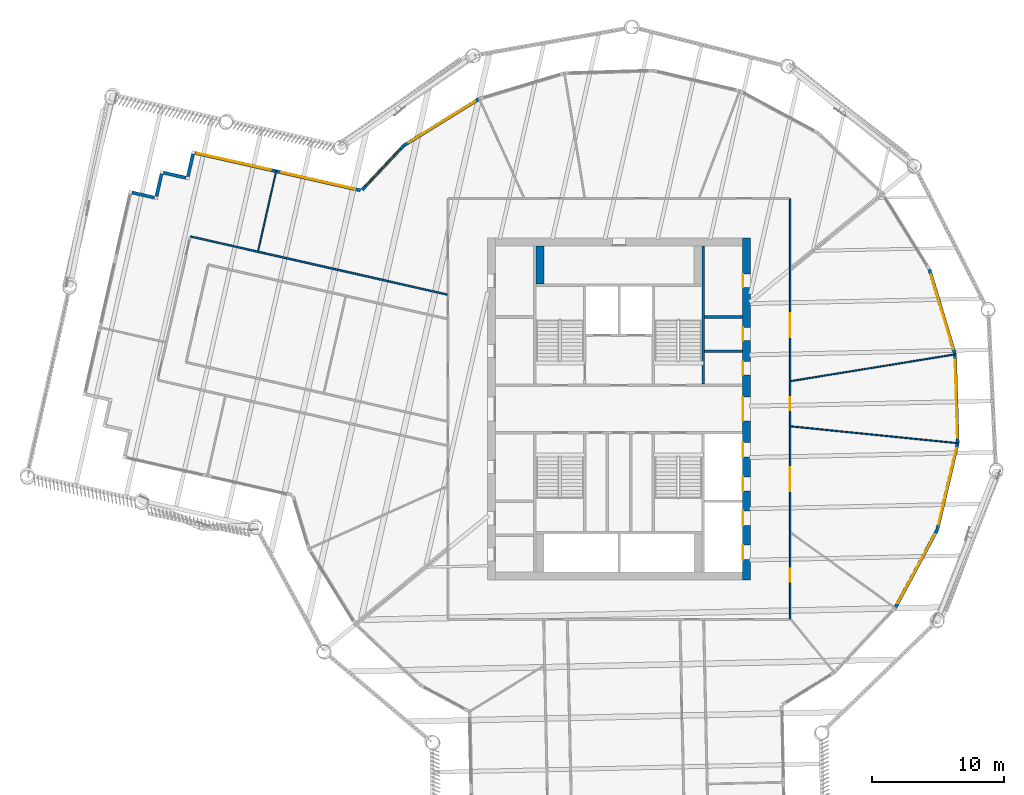
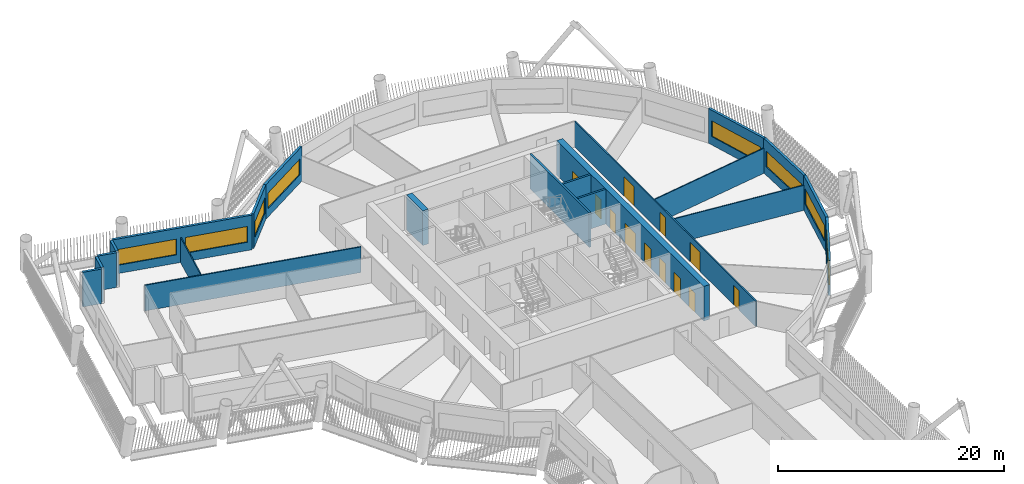
# One storey, part 6 of 23: 21 walls, 12 doors, 8 windows, 20 openings.
"""IFC4 building model written with IfcOpenShell, lengths in metres."""

import ifcopenshell
import ifcopenshell.guid

model = None  # the IFC model being written
_history = None  # IfcOwnerHistory: only IFC2X3 demands one
_inside = {}  # id of a spatial element -> (the spatial element, [elements in it])
_under = {}  # id of a project, library or spatial element -> (it, [spatial elements below it])
_declared = {}  # id of a project -> (the project, [libraries it declares])
_typed = {}  # id of a type object -> (the type object, [elements of that type])
_made_of = {}  # id of a material, layer set ... -> (it, [elements and type objects made of it])


def new_model(schema):
    """Start an empty IFC model of exactly this schema.

    Asked for "IFC4X3", IfcOpenShell would pick the latest addendum, in which some entities
    have other attributes; the version numbers below select the first issue.
    IFC2X3 requires an IfcOwnerHistory on every rooted entity: one is made here for all.
    """
    global model, _history
    if schema == "IFC4X3":
        model = ifcopenshell.file(schema_version=(4, 3, 0, 0))
    else:
        model = ifcopenshell.file(schema=schema)
    _inside.clear()
    _under.clear()
    _declared.clear()
    _typed.clear()
    _made_of.clear()
    _history = None
    if model.schema == "IFC2X3":
        org = make("IfcOrganization", Name="unknown")
        user = make(
            "IfcPersonAndOrganization",
            ThePerson=make("IfcPerson", FamilyName="unknown"),
            TheOrganization=org,
        )
        app = make(
            "IfcApplication",
            ApplicationDeveloper=org,
            Version="unknown",
            ApplicationFullName="unknown",
            ApplicationIdentifier="unknown",
        )
        _history = make(
            "IfcOwnerHistory",
            OwningUser=user,
            OwningApplication=app,
            ChangeAction="ADDED",
            CreationDate=0,
        )
    return model


def make(cls, **values):
    """One entity of the class cls with the attributes given. An attribute that is None is left unset."""
    return model.create_entity(
        cls, **{name: value for name, value in values.items() if value is not None}
    )


def rooted(cls, **values):
    """An entity with a GlobalId (a new one), such as an element, a storey or a relation."""
    return make(cls, GlobalId=ifcopenshell.guid.new(), OwnerHistory=_history, **values)


def si_unit(unit_type, name, prefix=None):
    """IfcSIUnit, for example si_unit("LENGTHUNIT", "METRE", prefix="MILLI")."""
    return make("IfcSIUnit", UnitType=unit_type, Prefix=prefix, Name=name)


def assignment(units):
    """IfcUnitAssignment: the units of a project."""
    return None if units is None else make("IfcUnitAssignment", Units=units)


def point(xyz):
    """IfcCartesianPoint."""
    return None if xyz is None else make("IfcCartesianPoint", Coordinates=xyz)


def direction(xyz):
    """IfcDirection."""
    return None if xyz is None else make("IfcDirection", DirectionRatios=xyz)


def frame(location, z_axis=None, x_axis=None):
    """IfcAxis2Placement3D, a coordinate frame: its origin and axes. An axis left out is left unset."""
    return make(
        "IfcAxis2Placement3D",
        Location=point(location),
        Axis=direction(z_axis),
        RefDirection=direction(x_axis),
    )


def frame_2d(location, x_axis=None):
    """IfcAxis2Placement2D, a coordinate frame in the plane: its origin and x axis."""
    return make(
        "IfcAxis2Placement2D", Location=point(location), RefDirection=direction(x_axis)
    )


def origin():
    """The frame at (0, 0, 0) with its axes left unset."""
    return frame((0.0, 0.0, 0.0))


def place(relative_to, where):
    """IfcLocalPlacement: puts the frame where relative to a parent placement (None: the world)."""
    return make(
        "IfcLocalPlacement", PlacementRelTo=relative_to, RelativePlacement=where
    )


def context(
    kind, dimensions, precision=None, world=None, true_north=None, identifier=None
):
    """IfcGeometricRepresentationContext, for example the 3D "Model" context."""
    return make(
        "IfcGeometricRepresentationContext",
        ContextIdentifier=identifier,
        ContextType=kind,
        CoordinateSpaceDimension=dimensions,
        Precision=precision,
        WorldCoordinateSystem=world,
        TrueNorth=true_north,
    )


def subcontext(parent, identifier, kind, view, scale=None):
    """IfcGeometricRepresentationSubContext, for example "Body" below "Model"."""
    return make(
        "IfcGeometricRepresentationSubContext",
        ContextIdentifier=identifier,
        ContextType=kind,
        ParentContext=parent,
        TargetScale=scale,
        TargetView=view,
    )


def project(units=None, contexts=None):
    """IfcProject with its units and contexts."""
    return rooted(
        "IfcProject",
        Name="project",
        RepresentationContexts=contexts,
        UnitsInContext=assignment(units),
    )


def spatial(cls, under=None, at=None, **own):
    """A site, building, storey or space (cls), placed at a placement, below another one or the project."""
    s = rooted(cls, ObjectPlacement=at, **own)
    if under is not None:
        _under.setdefault(under.id(), (under, []))[1].append(s)
    return s


def profile(cls, at=None, kind="AREA", **sizes):
    """A parametric profile (cls). Its sizes go by their IFC names, for example OverallWidth=200.0."""
    return make(cls, ProfileType=kind, Position=at, **sizes)


def rectangle(**sizes):
    """IfcRectangleProfileDef."""
    return profile("IfcRectangleProfileDef", **sizes)


def extrude(swept, where, along, depth):
    """IfcExtrudedAreaSolid: the profile swept, set in the frame where, extruded along a direction by depth."""
    return make(
        "IfcExtrudedAreaSolid",
        SweptArea=swept,
        Position=where,
        ExtrudedDirection=direction(along),
        Depth=depth,
    )


def shape(context_of_items, identifier, shape_type, items):
    """IfcShapeRepresentation: the items that make up one representation, for example the "Body"."""
    return make(
        "IfcShapeRepresentation",
        ContextOfItems=context_of_items,
        RepresentationIdentifier=identifier,
        RepresentationType=shape_type,
        Items=items,
    )


def material(Name=None, Category=None):
    """IfcMaterial."""
    return make("IfcMaterial", Name=Name, Category=Category)


def layer(
    of_material, thickness, ventilated=None, Name=None, Category=None, Priority=None
):
    """IfcMaterialLayer: one layer of a wall or slab, of a material (None: an air gap)."""
    return make(
        "IfcMaterialLayer",
        Material=of_material,
        LayerThickness=thickness,
        IsVentilated=ventilated,
        Name=Name,
        Category=Category,
        Priority=Priority,
    )


def layer_set(layers, Name=None):
    """IfcMaterialLayerSet."""
    return make("IfcMaterialLayerSet", MaterialLayers=layers, LayerSetName=Name)


def made_of(thing, what):
    """Note that an element or type object is made of a material, layer set ...; save() writes the relation."""
    if what is not None:
        _made_of.setdefault(what.id(), (what, []))[1].append(thing)
    return thing


def type_object(cls, material=None, **own):
    """A type object (cls), such as IfcWallType, which elements share."""
    return made_of(rooted(cls, **own), material)


def element(
    cls,
    number,
    at=None,
    inside=None,
    cuts=None,
    type_object=None,
    material=None,
    context=None,
    identifier="Body",
    shape_type=None,
    held_by="IfcProductDefinitionShape",
    body=None,
    shapes=None,
    **own,
):
    """One element of the class cls, such as IfcWall. Its Tag is "e" and its number.

    at: its placement. inside: the storey or other place that contains it. cuts: it is an
    opening in that element (IfcRelVoidsElement). A single representation is given by context,
    identifier, shape_type and body (its items); several are given by shapes. held_by: the class
    of the entity that holds the representations. save() writes the other relations.
    """
    e = rooted(cls, Tag="e%d" % number, ObjectPlacement=at, **own)
    if body is not None:
        shapes = [shape(context, identifier, shape_type, body)]
    if shapes is not None:
        e.Representation = make(held_by, Representations=shapes)
    if inside is not None:
        _inside.setdefault(inside.id(), (inside, []))[1].append(e)
    if cuts is not None:
        rooted(
            "IfcRelVoidsElement", RelatingBuildingElement=cuts, RelatedOpeningElement=e
        )
    if type_object is not None:
        _typed.setdefault(type_object.id(), (type_object, []))[1].append(e)
    return made_of(e, material)


def fill(opening, filler):
    """IfcRelFillsElement: the door or window that sits in an opening."""
    return rooted(
        "IfcRelFillsElement",
        RelatingOpeningElement=opening,
        RelatedBuildingElement=filler,
    )


def aggregate(whole, parts):
    """IfcRelAggregates: a whole, such as a stair, and the parts it consists of."""
    return rooted("IfcRelAggregates", RelatingObject=whole, RelatedObjects=parts)


def save(model, path):
    """Write the relations noted so far, then the file.

    IfcRelAggregates (storeys below a building ...), IfcRelContainedInSpatialStructure (elements
    in a storey), IfcRelDefinesByType, IfcRelAssociatesMaterial and IfcRelDeclares: one each for
    every whole, place, type object, material and project.
    """
    for whole, parts in _under.values():
        aggregate(whole, parts)
    for where, things in _inside.values():
        rooted(
            "IfcRelContainedInSpatialStructure",
            RelatedElements=things,
            RelatingStructure=where,
        )
    for kind, things in _typed.values():
        rooted("IfcRelDefinesByType", RelatedObjects=things, RelatingType=kind)
    for what, things in _made_of.values():
        rooted("IfcRelAssociatesMaterial", RelatedObjects=things, RelatingMaterial=what)
    for by, libraries in _declared.values():
        rooted("IfcRelDeclares", RelatingContext=by, RelatedDefinitions=libraries)
    model.write(path)


model = new_model("IFC4")

# Units and contexts
model_context = context("Model", 3, precision=1e-05, world=origin(), true_north=direction((0.0, 1.0)))
body_context = subcontext(model_context, "Body", "Model", "MODEL_VIEW")
ifc_project = project(units=[si_unit("LENGTHUNIT", "METRE"), si_unit("AREAUNIT", "SQUARE_METRE"), si_unit("VOLUMEUNIT", "CUBIC_METRE"), si_unit("PLANEANGLEUNIT", "RADIAN"), si_unit("MASSUNIT", "GRAM", prefix="KILO")], contexts=[model_context])

# Site, building, storey
site_placement = place(None, origin())
site = spatial("IfcSite", under=ifc_project, at=site_placement, CompositionType="ELEMENT")
building_placement = place(site_placement, origin())
building = spatial("IfcBuilding", under=site, at=building_placement, Name="Tarsis Ring Headquarters", CompositionType="ELEMENT")
storey_placement = place(building_placement, frame((0.0, 0.0, 231.60009765625)))
storey = spatial("IfcBuildingStorey", under=building, at=storey_placement, Name="L54", CompositionType="ELEMENT", Elevation=231.60009765625)

# Walls
ifc_material_1 = material(Name="Blockwork", Category="masonry")
ifc_layer_1 = layer(ifc_material_1, 0.199951171875)
ifc_layer_set_1 = layer_set([ifc_layer_1], Name="Core blockwork wall 200")
wall_type_1 = type_object("IfcWallType", Name="Core blockwork wall 200", PredefinedType="PARTITIONING", material=ifc_layer_set_1)
for number, where, z_axis, x_axis, name in (
    (1, (6.5, 4.39990234375, 0.0), (0.0, 0.0, 1.0), (1.0, 0.0, 0.0), "Core partition ED5"),
    (2, (6.5, 7.0, 0.0), (0.0, 0.0, 1.0), (1.0, 0.0, 0.0), "Core partition ED6"),
):
    element("IfcWall", number, at=place(storey_placement, frame(where, z_axis=z_axis, x_axis=x_axis)), inside=storey, type_object=wall_type_1, Name=name, PredefinedType="PARTITIONING", context=body_context, shape_type="SweptSolid", body=[
        extrude(rectangle(XDim=2.89990234375, YDim=0.199951171875, at=frame_2d((1.449951171875, 0.0))), origin(), (0.0, 0.0, 1.0), 3.739990234375),
    ])

# Wall, openings, doors
ifc_material_2 = material(Name="Concrete C50/60", Category="concrete")
ifc_layer_2 = layer(ifc_material_2, 0.60009765625)
ifc_layer_set_2 = layer_set([ifc_layer_2], Name="Core wall 600 C50/60")
wall_type_2 = type_object("IfcWallType", Name="Core wall 600 C50/60", PredefinedType="SHEAR", material=ifc_layer_set_2)
wall_1_placement = place(storey_placement, frame((9.699951171875, -13.0, 0.0), z_axis=(0.0, 0.0, 1.0), x_axis=(0.0, 1.0, 0.0)))
wall_1 = element("IfcWall", 3, at=wall_1_placement, inside=storey, type_object=wall_type_2, Name="Core wall OE", PredefinedType="SHEAR", context=body_context, shape_type="SweptSolid", body=[
    extrude(rectangle(XDim=26.0, YDim=0.60009765625, at=frame_2d((13.0, 0.0))), origin(), (0.0, 0.0, 1.0), 3.739990234375),
])
opening_1_placement = place(wall_1_placement, frame((1.550048828125, 0.0, 0.0)))
opening_1 = element("IfcOpeningElement", 4, at=opening_1_placement, cuts=wall_1, Name="Opening LD-MR1", PredefinedType="OPENING", context=body_context, shape_type="SweptSolid", body=[
    extrude(rectangle(XDim=1.10009765625, YDim=2.10009765625, at=frame_2d((0.550048828125, 1.050048828125))), frame((0.0, 0.31005859375, 0.0), z_axis=(0.0, -1.0, 0.0), x_axis=(1.0, 0.0, 0.0)), (0.0, 0.0, 1.0), 0.6201171875),
])
opening_2_placement = place(wall_1_placement, frame((4.14990234375, 0.0, 0.0)))
opening_2 = element("IfcOpeningElement", 5, at=opening_2_placement, cuts=wall_1, Name="Opening LD-MR2", PredefinedType="OPENING", context=body_context, shape_type="SweptSolid", body=[
    extrude(rectangle(XDim=1.10009765625, YDim=2.10009765625, at=frame_2d((0.550048828125, 1.050048828125))), frame((0.0, 0.31005859375, 0.0), z_axis=(0.0, -1.0, 0.0), x_axis=(1.0, 0.0, 0.0)), (0.0, 0.0, 1.0), 0.6201171875),
])
opening_3_placement = place(wall_1_placement, frame((6.75, 0.0, 0.0)))
opening_3 = element("IfcOpeningElement", 6, at=opening_3_placement, cuts=wall_1, Name="Opening LD-MR3", PredefinedType="OPENING", context=body_context, shape_type="SweptSolid", body=[
    extrude(rectangle(XDim=1.10009765625, YDim=2.10009765625, at=frame_2d((0.550048828125, 1.050048828125))), frame((0.0, 0.31005859375, 0.0), z_axis=(0.0, -1.0, 0.0), x_axis=(1.0, 0.0, 0.0)), (0.0, 0.0, 1.0), 0.6201171875),
])
opening_4_placement = place(wall_1_placement, frame((9.35009765625, 0.0, 0.0)))
opening_4 = element("IfcOpeningElement", 7, at=opening_4_placement, cuts=wall_1, Name="Opening LD-MR4", PredefinedType="OPENING", context=body_context, shape_type="SweptSolid", body=[
    extrude(rectangle(XDim=1.10009765625, YDim=2.10009765625, at=frame_2d((0.550048828125, 1.050048828125))), frame((0.0, 0.31005859375, 0.0), z_axis=(0.0, -1.0, 0.0), x_axis=(1.0, 0.0, 0.0)), (0.0, 0.0, 1.0), 0.6201171875),
])
opening_5_placement = place(wall_1_placement, frame((12.10009765625, 0.0, 0.0)))
opening_5 = element("IfcOpeningElement", 8, at=opening_5_placement, cuts=wall_1, Name="Opening L54-C11", PredefinedType="OPENING", context=body_context, shape_type="SweptSolid", body=[
    extrude(rectangle(XDim=1.800048828125, YDim=2.10009765625, at=frame_2d((0.89990234375, 1.050048828125))), frame((0.0, 0.31005859375, 0.0), z_axis=(0.0, -1.0, 0.0), x_axis=(1.0, 0.0, 0.0)), (0.0, 0.0, 1.0), 0.6201171875),
])
opening_6_placement = place(wall_1_placement, frame((15.60009765625, 0.0, 0.0)))
opening_6 = element("IfcOpeningElement", 9, at=opening_6_placement, cuts=wall_1, Name="Opening L54-C12", PredefinedType="OPENING", context=body_context, shape_type="SweptSolid", body=[
    extrude(rectangle(XDim=1.0, YDim=2.10009765625, at=frame_2d((0.5, 1.050048828125))), frame((0.0, 0.31005859375, 0.0), z_axis=(0.0, -1.0, 0.0), x_axis=(1.0, 0.0, 0.0)), (0.0, 0.0, 1.0), 0.6201171875),
])
opening_7_placement = place(wall_1_placement, frame((18.199951171875, 0.0, 0.0)))
opening_7 = element("IfcOpeningElement", 10, at=opening_7_placement, cuts=wall_1, Name="Opening L54-C13", PredefinedType="OPENING", context=body_context, shape_type="SweptSolid", body=[
    extrude(rectangle(XDim=1.0, YDim=2.10009765625, at=frame_2d((0.5, 1.050048828125))), frame((0.0, 0.31005859375, 0.0), z_axis=(0.0, -1.0, 0.0), x_axis=(1.0, 0.0, 0.0)), (0.0, 0.0, 1.0), 0.6201171875),
])
opening_8_placement = place(wall_1_placement, frame((22.25, 0.0, 0.0)))
opening_8 = element("IfcOpeningElement", 11, at=opening_8_placement, cuts=wall_1, Name="Opening L54-C14", PredefinedType="OPENING", context=body_context, shape_type="SweptSolid", body=[
    extrude(rectangle(XDim=1.0, YDim=2.10009765625, at=frame_2d((0.5, 1.050048828125))), frame((0.0, 0.31005859375, 0.0), z_axis=(0.0, -1.0, 0.0), x_axis=(1.0, 0.0, 0.0)), (0.0, 0.0, 1.0), 0.6201171875),
])
ifc_material_3 = material(Name="Steel S355", Category="steel")
door_type_1 = type_object("IfcDoorType", Name="Core entry door 1800x2100", OperationType="DOUBLE_DOOR_SINGLE_SWING", PredefinedType="DOOR", material=ifc_material_3)
door_1_placement = place(opening_5_placement, origin())
door_1 = element("IfcDoor", 12, at=door_1_placement, inside=storey, type_object=door_type_1, Name="Core entry door L54", OperationType="DOUBLE_DOOR_SINGLE_SWING", OverallHeight=2.10009765625, OverallWidth=1.800048828125, PredefinedType="DOOR", context=body_context, shape_type="SweptSolid", body=[
    extrude(rectangle(XDim=1.800048828125, YDim=2.10009765625, at=frame_2d((0.89990234375, 1.050048828125))), frame((0.0, 0.2998046875, 0.0), z_axis=(0.0, -1.0, 0.0), x_axis=(1.0, 0.0, 0.0)), (0.0, 0.0, 1.0), 0.050048828125),
])
fill(opening_5, door_1)
door_type_2 = type_object("IfcDoorType", Name="Core room door 1000x2100", OperationType="SINGLE_SWING_LEFT", PredefinedType="DOOR", material=ifc_material_3)
door_2_placement = place(opening_6_placement, origin())
door_2 = element("IfcDoor", 13, at=door_2_placement, inside=storey, type_object=door_type_2, Name="Core room door L54", OperationType="SINGLE_SWING_LEFT", OverallHeight=2.10009765625, OverallWidth=1.0, PredefinedType="DOOR", context=body_context, shape_type="SweptSolid", body=[
    extrude(rectangle(XDim=1.0, YDim=2.10009765625, at=frame_2d((0.5, 1.050048828125))), frame((0.0, 0.2998046875, 0.0), z_axis=(0.0, -1.0, 0.0), x_axis=(1.0, 0.0, 0.0)), (0.0, 0.0, 1.0), 0.050048828125),
])
fill(opening_6, door_2)
door_3_placement = place(opening_7_placement, origin())
door_3 = element("IfcDoor", 14, at=door_3_placement, inside=storey, type_object=door_type_2, Name="Core room door L54", OperationType="SINGLE_SWING_LEFT", OverallHeight=2.10009765625, OverallWidth=1.0, PredefinedType="DOOR", context=body_context, shape_type="SweptSolid", body=[
    extrude(rectangle(XDim=1.0, YDim=2.10009765625, at=frame_2d((0.5, 1.050048828125))), frame((0.0, 0.2998046875, 0.0), z_axis=(0.0, -1.0, 0.0), x_axis=(1.0, 0.0, 0.0)), (0.0, 0.0, 1.0), 0.050048828125),
])
fill(opening_7, door_3)
door_4_placement = place(opening_8_placement, origin())
door_4 = element("IfcDoor", 15, at=door_4_placement, inside=storey, type_object=door_type_2, Name="Core room door L54", OperationType="SINGLE_SWING_LEFT", OverallHeight=2.10009765625, OverallWidth=1.0, PredefinedType="DOOR", context=body_context, shape_type="SweptSolid", body=[
    extrude(rectangle(XDim=1.0, YDim=2.10009765625, at=frame_2d((0.5, 1.050048828125))), frame((0.0, 0.2998046875, 0.0), z_axis=(0.0, -1.0, 0.0), x_axis=(1.0, 0.0, 0.0)), (0.0, 0.0, 1.0), 0.050048828125),
])
fill(opening_8, door_4)
door_type_3 = type_object("IfcDoorType", Name="Landing door 1100x2100", OperationType="SLIDING_TO_LEFT", PredefinedType="DOOR", material=ifc_material_3)
door_5_placement = place(opening_1_placement, origin())
door_5 = element("IfcDoor", 16, at=door_5_placement, inside=storey, type_object=door_type_3, Name="Landing door MR1 L54", OperationType="SLIDING_TO_LEFT", OverallHeight=2.10009765625, OverallWidth=1.10009765625, PredefinedType="DOOR", context=body_context, shape_type="SweptSolid", body=[
    extrude(rectangle(XDim=1.10009765625, YDim=2.10009765625, at=frame_2d((0.550048828125, 1.050048828125))), frame((0.0, 0.2998046875, 0.0), z_axis=(0.0, -1.0, 0.0), x_axis=(1.0, 0.0, 0.0)), (0.0, 0.0, 1.0), 0.050048828125),
])
fill(opening_1, door_5)
door_6_placement = place(opening_2_placement, origin())
door_6 = element("IfcDoor", 17, at=door_6_placement, inside=storey, type_object=door_type_3, Name="Landing door MR2 L54", OperationType="SLIDING_TO_LEFT", OverallHeight=2.10009765625, OverallWidth=1.10009765625, PredefinedType="DOOR", context=body_context, shape_type="SweptSolid", body=[
    extrude(rectangle(XDim=1.10009765625, YDim=2.10009765625, at=frame_2d((0.550048828125, 1.050048828125))), frame((0.0, 0.2998046875, 0.0), z_axis=(0.0, -1.0, 0.0), x_axis=(1.0, 0.0, 0.0)), (0.0, 0.0, 1.0), 0.050048828125),
])
fill(opening_2, door_6)
door_7_placement = place(opening_3_placement, origin())
door_7 = element("IfcDoor", 18, at=door_7_placement, inside=storey, type_object=door_type_3, Name="Landing door MR3 L54", OperationType="SLIDING_TO_LEFT", OverallHeight=2.10009765625, OverallWidth=1.10009765625, PredefinedType="DOOR", context=body_context, shape_type="SweptSolid", body=[
    extrude(rectangle(XDim=1.10009765625, YDim=2.10009765625, at=frame_2d((0.550048828125, 1.050048828125))), frame((0.0, 0.2998046875, 0.0), z_axis=(0.0, -1.0, 0.0), x_axis=(1.0, 0.0, 0.0)), (0.0, 0.0, 1.0), 0.050048828125),
])
fill(opening_3, door_7)
door_8_placement = place(opening_4_placement, origin())
door_8 = element("IfcDoor", 19, at=door_8_placement, inside=storey, type_object=door_type_3, Name="Landing door MR4 L54", OperationType="SLIDING_TO_LEFT", OverallHeight=2.10009765625, OverallWidth=1.10009765625, PredefinedType="DOOR", context=body_context, shape_type="SweptSolid", body=[
    extrude(rectangle(XDim=1.10009765625, YDim=2.10009765625, at=frame_2d((0.550048828125, 1.050048828125))), frame((0.0, 0.2998046875, 0.0), z_axis=(0.0, -1.0, 0.0), x_axis=(1.0, 0.0, 0.0)), (0.0, 0.0, 1.0), 0.050048828125),
])
fill(opening_4, door_8)

# Walls
ifc_material_4 = material(Name="Gypsum board on steel studs", Category="steel")
ifc_layer_3 = layer(ifc_material_4, 0.10009765625)
ifc_layer_set_3 = layer_set([ifc_layer_3], Name="FL partition 100 unrated")
wall_type_3 = type_object("IfcWallType", Name="FL partition 100 unrated", PredefinedType="PARTITIONING", material=ifc_layer_set_3)
wall_2_placement = place(storey_placement, frame((13.069580078125, -1.318359375, 0.0), z_axis=(0.0, 0.0, 1.0), x_axis=(0.994950594724, -0.100365900875, 0.0)))
element("IfcWall", 20, at=wall_2_placement, inside=storey, type_object=wall_type_3, Name="Partition PW3", PredefinedType="PARTITIONING", context=body_context, shape_type="SweptSolid", body=[
    extrude(rectangle(XDim=12.81201171875, YDim=0.10009765625, at=frame_2d((6.406005859375, 0.0))), origin(), (0.0, 0.0, 1.0), 2.699951171875),
])
wall_3_placement = place(storey_placement, frame((13.069091796875, 2.126220703125, 0.0), z_axis=(0.0, 0.0, 1.0), x_axis=(0.987025191468, 0.160565473898, 0.0)))
element("IfcWall", 21, at=wall_3_placement, inside=storey, type_object=wall_type_3, Name="Partition PW3", PredefinedType="PARTITIONING", context=body_context, shape_type="SweptSolid", body=[
    extrude(rectangle(XDim=12.706787109375, YDim=0.10009765625, at=frame_2d((6.353515625, 0.0))), origin(), (0.0, 0.0, 1.0), 2.699951171875),
])
wall_4_placement = place(storey_placement, frame((-27.441162109375, 12.02783203125, 0.0), z_axis=(0.0, 0.0, 1.0), x_axis=(0.220851468562, 0.97530745349, 0.0)))
element("IfcWall", 22, at=wall_4_placement, inside=storey, type_object=wall_type_3, Name="Partition PW3", PredefinedType="PARTITIONING", context=body_context, shape_type="SweptSolid", body=[
    extrude(rectangle(XDim=6.280029296875, YDim=0.10009765625, at=frame_2d((3.14013671875, 0.0))), origin(), (0.0, 0.0, 1.0), 2.699951171875),
])

# Wall, openings, doors
ifc_layer_4 = layer(ifc_material_4, 0.125)
ifc_layer_set_4 = layer_set([ifc_layer_4], Name="FL partition 125 EI 60 H2770")
wall_type_4 = type_object("IfcWallType", Name="FL partition 125 EI 60 H2770", PredefinedType="PARTITIONING", material=ifc_layer_set_4)
wall_5_placement = place(storey_placement, frame((13.0, -16.0, 0.0), z_axis=(0.0, 0.0, 1.0), x_axis=(0.0, 1.0, 0.0)))
wall_5 = element("IfcWall", 23, at=wall_5_placement, inside=storey, type_object=wall_type_4, Name="Partition PW1", PredefinedType="PARTITIONING", context=body_context, shape_type="SweptSolid", body=[
    extrude(rectangle(XDim=32.0, YDim=0.125, at=frame_2d((16.0, 0.0))), origin(), (0.0, 0.0, 1.0), 2.77001953125),
])
opening_9_placement = place(wall_5_placement, frame((21.46630859375, 0.0, 0.0)))
opening_9 = element("IfcOpeningElement", 24, at=opening_9_placement, cuts=wall_5, Name="Opening D54.07", PredefinedType="OPENING", context=body_context, shape_type="SweptSolid", body=[
    extrude(rectangle(XDim=1.800048828125, YDim=2.10009765625, at=frame_2d((0.89990234375, 1.050048828125))), frame((0.0, 0.072509765625, 0.0), z_axis=(0.0, -1.0, 0.0), x_axis=(1.0, 0.0, 0.0)), (0.0, 0.0, 1.0), 0.14501953125),
])
opening_10_placement = place(wall_5_placement, frame((15.90185546875, 0.0, 0.0)))
opening_10 = element("IfcOpeningElement", 25, at=opening_10_placement, cuts=wall_5, Name="Opening D54.08", PredefinedType="OPENING", context=body_context, shape_type="SweptSolid", body=[
    extrude(rectangle(XDim=1.0, YDim=2.10009765625, at=frame_2d((0.5, 1.050048828125))), frame((0.0, 0.072509765625, 0.0), z_axis=(0.0, -1.0, 0.0), x_axis=(1.0, 0.0, 0.0)), (0.0, 0.0, 1.0), 0.14501953125),
])
opening_11_placement = place(wall_5_placement, frame((9.76318359375, 0.0, 0.0)))
opening_11 = element("IfcOpeningElement", 26, at=opening_11_placement, cuts=wall_5, Name="Opening D54.09", PredefinedType="OPENING", context=body_context, shape_type="SweptSolid", body=[
    extrude(rectangle(XDim=1.800048828125, YDim=2.10009765625, at=frame_2d((0.89990234375, 1.050048828125))), frame((0.0, 0.072509765625, 0.0), z_axis=(0.0, -1.0, 0.0), x_axis=(1.0, 0.0, 0.0)), (0.0, 0.0, 1.0), 0.14501953125),
])
opening_12_placement = place(wall_5_placement, frame((2.860595703125, 0.0, 0.0)))
opening_12 = element("IfcOpeningElement", 27, at=opening_12_placement, cuts=wall_5, Name="Opening D54.10", PredefinedType="OPENING", context=body_context, shape_type="SweptSolid", body=[
    extrude(rectangle(XDim=1.0, YDim=2.10009765625, at=frame_2d((0.5, 1.050048828125))), frame((0.0, 0.072509765625, 0.0), z_axis=(0.0, -1.0, 0.0), x_axis=(1.0, 0.0, 0.0)), (0.0, 0.0, 1.0), 0.14501953125),
])
ifc_material_5 = material(Name="Fire-rated timber door leaf in steel frame", Category="steel")
door_type_4 = type_object("IfcDoorType", Name="FL door FD60-1000", OperationType="NOTDEFINED", PredefinedType="DOOR", material=ifc_material_5)
door_9_placement = place(opening_10_placement, origin())
door_9 = element("IfcDoor", 28, at=door_9_placement, inside=storey, type_object=door_type_4, Name="Door D54.08", OperationType="SINGLE_SWING_RIGHT", OverallHeight=2.10009765625, OverallWidth=1.0, PredefinedType="DOOR", context=body_context, shape_type="SweptSolid", body=[
    extrude(rectangle(XDim=1.0, YDim=2.10009765625, at=frame_2d((0.5, 1.050048828125))), frame((0.0, 0.02490234375, 0.0), z_axis=(0.0, -1.0, 0.0), x_axis=(1.0, 0.0, 0.0)), (0.0, 0.0, 1.0), 0.050048828125),
])
fill(opening_10, door_9)
door_10_placement = place(opening_12_placement, origin())
door_10 = element("IfcDoor", 29, at=door_10_placement, inside=storey, type_object=door_type_4, Name="Door D54.10", OperationType="SINGLE_SWING_RIGHT", OverallHeight=2.10009765625, OverallWidth=1.0, PredefinedType="DOOR", context=body_context, shape_type="SweptSolid", body=[
    extrude(rectangle(XDim=1.0, YDim=2.10009765625, at=frame_2d((0.5, 1.050048828125))), frame((0.0, 0.02490234375, 0.0), z_axis=(0.0, -1.0, 0.0), x_axis=(1.0, 0.0, 0.0)), (0.0, 0.0, 1.0), 0.050048828125),
])
fill(opening_12, door_10)
door_type_5 = type_object("IfcDoorType", Name="FL door FD60-1800", OperationType="DOUBLE_DOOR_SINGLE_SWING", PredefinedType="DOOR", material=ifc_material_5)
door_11_placement = place(opening_9_placement, origin())
door_11 = element("IfcDoor", 30, at=door_11_placement, inside=storey, type_object=door_type_5, Name="Door D54.07", OperationType="DOUBLE_DOOR_SINGLE_SWING", OverallHeight=2.10009765625, OverallWidth=1.800048828125, PredefinedType="DOOR", context=body_context, shape_type="SweptSolid", body=[
    extrude(rectangle(XDim=1.800048828125, YDim=2.10009765625, at=frame_2d((0.89990234375, 1.050048828125))), frame((0.0, 0.02490234375, 0.0), z_axis=(0.0, -1.0, 0.0), x_axis=(1.0, 0.0, 0.0)), (0.0, 0.0, 1.0), 0.050048828125),
])
fill(opening_9, door_11)
door_12_placement = place(opening_11_placement, origin())
door_12 = element("IfcDoor", 31, at=door_12_placement, inside=storey, type_object=door_type_5, Name="Door D54.09", OperationType="DOUBLE_DOOR_SINGLE_SWING", OverallHeight=2.10009765625, OverallWidth=1.800048828125, PredefinedType="DOOR", context=body_context, shape_type="SweptSolid", body=[
    extrude(rectangle(XDim=1.800048828125, YDim=2.10009765625, at=frame_2d((0.89990234375, 1.050048828125))), frame((0.0, 0.02490234375, 0.0), z_axis=(0.0, -1.0, 0.0), x_axis=(1.0, 0.0, 0.0)), (0.0, 0.0, 1.0), 0.050048828125),
])
fill(opening_11, door_12)

# Wall
wall_6_placement = place(storey_placement, frame((-32.596435546875, 13.12353515625, 0.0), z_axis=(0.0, 0.0, 1.0), x_axis=(0.975303487235, -0.220868983307, 0.0)))
element("IfcWall", 32, at=wall_6_placement, inside=storey, type_object=wall_type_4, Name="Partition PW1", PredefinedType="PARTITIONING", context=body_context, shape_type="SweptSolid", body=[
    extrude(rectangle(XDim=20.0224609375, YDim=0.125, at=frame_2d((10.01123046875, 0.0))), origin(), (0.0, 0.0, 1.0), 2.77001953125),
])

# Wall, opening, window
ifc_material_6 = material(Name="Terracotta clad insulated panel wall", Category="masonry")
ifc_layer_5 = layer(ifc_material_6, 0.25)
ifc_layer_set_5 = layer_set([ifc_layer_5], Name="Facade wall terracotta panel 250")
wall_type_5 = type_object("IfcWallType", Name="Facade wall terracotta panel 250", PredefinedType="STANDARD", material=ifc_layer_set_5)
wall_7_placement = place(storey_placement, frame((21.003662109375, -15.10595703125, 0.0), z_axis=(0.0, 0.0, 1.0), x_axis=(0.473488905587, 0.880799782179, 0.0)))
wall_7 = element("IfcWall", 33, at=wall_7_placement, inside=storey, type_object=wall_type_5, Name="External wall L54-19", PredefinedType="STANDARD", context=body_context, shape_type="SweptSolid", body=[
    extrude(rectangle(XDim=6.7216796875, YDim=0.25, at=frame_2d((3.36083984375, 0.0))), origin(), (0.0, 0.0, 1.0), 3.739990234375),
])
opening_13_placement = place(wall_7_placement, frame((0.3857421875, 0.0, 0.89990234375)))
opening_13 = element("IfcOpeningElement", 34, at=opening_13_placement, cuts=wall_7, Name="Opening WN07", PredefinedType="OPENING", context=body_context, shape_type="SweptSolid", body=[
    extrude(rectangle(XDim=5.949951171875, YDim=1.699951171875, at=frame_2d((2.97509765625, 0.85009765625))), frame((0.0, 0.135009765625, 0.0), z_axis=(0.0, -1.0, 0.0), x_axis=(1.0, 0.0, 0.0)), (0.0, 0.0, 1.0), 0.27001953125),
])
ifc_material_7 = material(Name="Aluminium framed double glazing", Category="aluminium")
window_type_1 = type_object("IfcWindowType", Name="Facade window 5950 x 1700", PartitioningType="SINGLE_PANEL", PredefinedType="WINDOW", material=ifc_material_7)
window_1_placement = place(opening_13_placement, origin())
window_1 = element("IfcWindow", 35, at=window_1_placement, inside=storey, type_object=window_type_1, Name="Window L54-19.1", OverallHeight=1.699951171875, OverallWidth=5.949951171875, PartitioningType="SINGLE_PANEL", PredefinedType="WINDOW", context=body_context, shape_type="SweptSolid", body=[
    extrude(rectangle(XDim=5.949951171875, YDim=1.699951171875, at=frame_2d((2.97509765625, 0.85009765625))), frame((0.0, 0.030029296875, 0.0), z_axis=(0.0, -1.0, 0.0), x_axis=(1.0, 0.0, 0.0)), (0.0, 0.0, 1.0), 0.06005859375),
])
fill(opening_13, window_1)

wall_8_placement = place(storey_placement, frame((24.19775390625, -9.155029296875, 0.0), z_axis=(0.0, 0.0, 1.0), x_axis=(0.22937741811, 0.9733375571, 0.0)))
wall_8 = element("IfcWall", 36, at=wall_8_placement, inside=storey, type_object=wall_type_5, Name="External wall L54-20", PredefinedType="STANDARD", context=body_context, shape_type="SweptSolid", body=[
    extrude(rectangle(XDim=6.721435546875, YDim=0.25, at=frame_2d((3.36083984375, 0.0))), origin(), (0.0, 0.0, 1.0), 3.739990234375),
])
opening_14_placement = place(wall_8_placement, frame((0.3857421875, 0.0, 0.89990234375)))
opening_14 = element("IfcOpeningElement", 37, at=opening_14_placement, cuts=wall_8, Name="Opening WN07", PredefinedType="OPENING", context=body_context, shape_type="SweptSolid", body=[
    extrude(rectangle(XDim=5.949951171875, YDim=1.699951171875, at=frame_2d((2.97509765625, 0.85009765625))), frame((0.0, 0.135009765625, 0.0), z_axis=(0.0, -1.0, 0.0), x_axis=(1.0, 0.0, 0.0)), (0.0, 0.0, 1.0), 0.27001953125),
])
window_2_placement = place(opening_14_placement, origin())
window_2 = element("IfcWindow", 38, at=window_2_placement, inside=storey, type_object=window_type_1, Name="Window L54-20.1", OverallHeight=1.699951171875, OverallWidth=5.949951171875, PartitioningType="SINGLE_PANEL", PredefinedType="WINDOW", context=body_context, shape_type="SweptSolid", body=[
    extrude(rectangle(XDim=5.949951171875, YDim=1.699951171875, at=frame_2d((2.97509765625, 0.85009765625))), frame((0.0, 0.030029296875, 0.0), z_axis=(0.0, -1.0, 0.0), x_axis=(1.0, 0.0, 0.0)), (0.0, 0.0, 1.0), 0.06005859375),
])
fill(opening_14, window_2)

wall_9_placement = place(storey_placement, frame((25.74267578125, -2.580322265625, 0.0), z_axis=(0.0, 0.0, 1.0), x_axis=(-0.030365002405, 0.999538876997, 0.0)))
wall_9 = element("IfcWall", 39, at=wall_9_placement, inside=storey, type_object=wall_type_5, Name="External wall L54-21", PredefinedType="STANDARD", context=body_context, shape_type="SweptSolid", body=[
    extrude(rectangle(XDim=6.7216796875, YDim=0.25, at=frame_2d((3.36083984375, 0.0))), origin(), (0.0, 0.0, 1.0), 3.739990234375),
])
opening_15_placement = place(wall_9_placement, frame((0.3857421875, 0.0, 0.89990234375)))
opening_15 = element("IfcOpeningElement", 40, at=opening_15_placement, cuts=wall_9, Name="Opening WN07", PredefinedType="OPENING", context=body_context, shape_type="SweptSolid", body=[
    extrude(rectangle(XDim=5.949951171875, YDim=1.699951171875, at=frame_2d((2.97509765625, 0.85009765625))), frame((0.0, 0.135009765625, 0.0), z_axis=(0.0, -1.0, 0.0), x_axis=(1.0, 0.0, 0.0)), (0.0, 0.0, 1.0), 0.27001953125),
])
window_3_placement = place(opening_15_placement, origin())
window_3 = element("IfcWindow", 41, at=window_3_placement, inside=storey, type_object=window_type_1, Name="Window L54-21.1", OverallHeight=1.699951171875, OverallWidth=5.949951171875, PartitioningType="SINGLE_PANEL", PredefinedType="WINDOW", context=body_context, shape_type="SweptSolid", body=[
    extrude(rectangle(XDim=5.949951171875, YDim=1.699951171875, at=frame_2d((2.97509765625, 0.85009765625))), frame((0.0, 0.030029296875, 0.0), z_axis=(0.0, -1.0, 0.0), x_axis=(1.0, 0.0, 0.0)), (0.0, 0.0, 1.0), 0.06005859375),
])
fill(opening_15, window_3)

wall_10_placement = place(storey_placement, frame((25.533447265625, 4.17041015625, 0.0), z_axis=(0.0, 0.0, 1.0), x_axis=(-0.288040945405, 0.957618093903, 0.0)))
wall_10 = element("IfcWall", 42, at=wall_10_placement, inside=storey, type_object=wall_type_5, Name="External wall L54-22", PredefinedType="STANDARD", context=body_context, shape_type="SweptSolid", body=[
    extrude(rectangle(XDim=6.721435546875, YDim=0.25, at=frame_2d((3.36083984375, 0.0))), origin(), (0.0, 0.0, 1.0), 3.739990234375),
])
opening_16_placement = place(wall_10_placement, frame((0.3857421875, 0.0, 0.89990234375)))
opening_16 = element("IfcOpeningElement", 43, at=opening_16_placement, cuts=wall_10, Name="Opening WN07", PredefinedType="OPENING", context=body_context, shape_type="SweptSolid", body=[
    extrude(rectangle(XDim=5.949951171875, YDim=1.699951171875, at=frame_2d((2.97509765625, 0.85009765625))), frame((0.0, 0.135009765625, 0.0), z_axis=(0.0, -1.0, 0.0), x_axis=(1.0, 0.0, 0.0)), (0.0, 0.0, 1.0), 0.27001953125),
])
window_4_placement = place(opening_16_placement, origin())
window_4 = element("IfcWindow", 44, at=window_4_placement, inside=storey, type_object=window_type_1, Name="Window L54-22.1", OverallHeight=1.699951171875, OverallWidth=5.949951171875, PartitioningType="SINGLE_PANEL", PredefinedType="WINDOW", context=body_context, shape_type="SweptSolid", body=[
    extrude(rectangle(XDim=5.949951171875, YDim=1.699951171875, at=frame_2d((2.97509765625, 0.85009765625))), frame((0.0, 0.030029296875, 0.0), z_axis=(0.0, -1.0, 0.0), x_axis=(1.0, 0.0, 0.0)), (0.0, 0.0, 1.0), 0.06005859375),
])
fill(opening_16, window_4)

wall_11_placement = place(storey_placement, frame((-10.63671875, 23.583984375, 0.0), z_axis=(0.0, 0.0, 1.0), x_axis=(-0.850450099667, -0.526055727064, 0.0)))
wall_11 = element("IfcWall", 45, at=wall_11_placement, inside=storey, type_object=wall_type_5, Name="External wall L54-29", PredefinedType="STANDARD", context=body_context, shape_type="SweptSolid", body=[
    extrude(rectangle(XDim=6.721435546875, YDim=0.25, at=frame_2d((3.36083984375, 0.0))), origin(), (0.0, 0.0, 1.0), 3.739990234375),
])
opening_17_placement = place(wall_11_placement, frame((0.3857421875, 0.0, 0.89990234375)))
opening_17 = element("IfcOpeningElement", 46, at=opening_17_placement, cuts=wall_11, Name="Opening WN07", PredefinedType="OPENING", context=body_context, shape_type="SweptSolid", body=[
    extrude(rectangle(XDim=5.949951171875, YDim=1.699951171875, at=frame_2d((2.97509765625, 0.85009765625))), frame((0.0, 0.135009765625, 0.0), z_axis=(0.0, -1.0, 0.0), x_axis=(1.0, 0.0, 0.0)), (0.0, 0.0, 1.0), 0.27001953125),
])
window_5_placement = place(opening_17_placement, origin())
window_5 = element("IfcWindow", 47, at=window_5_placement, inside=storey, type_object=window_type_1, Name="Window L54-29.1", OverallHeight=1.699951171875, OverallWidth=5.949951171875, PartitioningType="SINGLE_PANEL", PredefinedType="WINDOW", context=body_context, shape_type="SweptSolid", body=[
    extrude(rectangle(XDim=5.949951171875, YDim=1.699951171875, at=frame_2d((2.97509765625, 0.85009765625))), frame((0.0, 0.030029296875, 0.0), z_axis=(0.0, -1.0, 0.0), x_axis=(1.0, 0.0, 0.0)), (0.0, 0.0, 1.0), 0.06005859375),
])
fill(opening_17, window_5)

wall_12_placement = place(storey_placement, frame((-16.37841796875, 20.02734375, 0.0), z_axis=(0.0, 0.0, 1.0), x_axis=(-0.685315221713, -0.728246556386, 0.0)))
wall_12 = element("IfcWall", 48, at=wall_12_placement, inside=storey, type_object=wall_type_5, Name="External wall L54-30", PredefinedType="STANDARD", context=body_context, shape_type="SweptSolid", body=[
    extrude(rectangle(XDim=4.61767578125, YDim=0.25, at=frame_2d((2.308837890625, 0.0))), origin(), (0.0, 0.0, 1.0), 3.739990234375),
])
opening_18_placement = place(wall_12_placement, frame((0.367431640625, 0.0, 0.89990234375)))
opening_18 = element("IfcOpeningElement", 49, at=opening_18_placement, cuts=wall_12, Name="Opening WN02", PredefinedType="OPENING", context=body_context, shape_type="SweptSolid", body=[
    extrude(rectangle(XDim=3.85009765625, YDim=1.699951171875, at=frame_2d((1.925048828125, 0.85009765625))), frame((0.0, 0.135009765625, 0.0), z_axis=(0.0, -1.0, 0.0), x_axis=(1.0, 0.0, 0.0)), (0.0, 0.0, 1.0), 0.27001953125),
])
window_type_2 = type_object("IfcWindowType", Name="Facade window 3850 x 1700", PartitioningType="SINGLE_PANEL", PredefinedType="WINDOW", material=ifc_material_7)
window_6_placement = place(opening_18_placement, origin())
window_6 = element("IfcWindow", 50, at=window_6_placement, inside=storey, type_object=window_type_2, Name="Window L54-30.1", OverallHeight=1.699951171875, OverallWidth=3.85009765625, PartitioningType="SINGLE_PANEL", PredefinedType="WINDOW", context=body_context, shape_type="SweptSolid", body=[
    extrude(rectangle(XDim=3.85009765625, YDim=1.699951171875, at=frame_2d((1.925048828125, 0.85009765625))), frame((0.0, 0.030029296875, 0.0), z_axis=(0.0, -1.0, 0.0), x_axis=(1.0, 0.0, 0.0)), (0.0, 0.0, 1.0), 0.06005859375),
])
fill(opening_18, window_6)

# Wall, openings, windows
wall_13_placement = place(storey_placement, frame((-19.66162109375, 16.628173828125, 0.0), z_axis=(0.0, 0.0, 1.0), x_axis=(-0.975301916621, 0.22087591864, 0.0)))
wall_13 = element("IfcWall", 51, at=wall_13_placement, inside=storey, type_object=wall_type_5, Name="External wall L54-31", PredefinedType="STANDARD", context=body_context, shape_type="SweptSolid", body=[
    extrude(rectangle(XDim=12.9013671875, YDim=0.25, at=frame_2d((6.45068359375, 0.0))), origin(), (0.0, 0.0, 1.0), 3.739990234375),
])
opening_19_placement = place(wall_13_placement, frame((0.412841796875, 0.0, 0.89990234375)))
opening_19 = element("IfcOpeningElement", 52, at=opening_19_placement, cuts=wall_13, Name="Opening WN06", PredefinedType="OPENING", context=body_context, shape_type="SweptSolid", body=[
    extrude(rectangle(XDim=5.75, YDim=1.699951171875, at=frame_2d((2.875, 0.85009765625))), frame((0.0, 0.135009765625, 0.0), z_axis=(0.0, -1.0, 0.0), x_axis=(1.0, 0.0, 0.0)), (0.0, 0.0, 1.0), 0.27001953125),
])
opening_20_placement = place(wall_13_placement, frame((6.988525390625, 0.0, 0.89990234375)))
opening_20 = element("IfcOpeningElement", 53, at=opening_20_placement, cuts=wall_13, Name="Opening WN06", PredefinedType="OPENING", context=body_context, shape_type="SweptSolid", body=[
    extrude(rectangle(XDim=5.75, YDim=1.699951171875, at=frame_2d((2.875, 0.85009765625))), frame((0.0, 0.135009765625, 0.0), z_axis=(0.0, -1.0, 0.0), x_axis=(1.0, 0.0, 0.0)), (0.0, 0.0, 1.0), 0.27001953125),
])
window_type_3 = type_object("IfcWindowType", Name="Facade window 5750 x 1700", PartitioningType="SINGLE_PANEL", PredefinedType="WINDOW", material=ifc_material_7)
window_7_placement = place(opening_19_placement, origin())
window_7 = element("IfcWindow", 54, at=window_7_placement, inside=storey, type_object=window_type_3, Name="Window L54-31.1", OverallHeight=1.699951171875, OverallWidth=5.75, PartitioningType="SINGLE_PANEL", PredefinedType="WINDOW", context=body_context, shape_type="SweptSolid", body=[
    extrude(rectangle(XDim=5.75, YDim=1.699951171875, at=frame_2d((2.875, 0.85009765625))), frame((0.0, 0.030029296875, 0.0), z_axis=(0.0, -1.0, 0.0), x_axis=(1.0, 0.0, 0.0)), (0.0, 0.0, 1.0), 0.06005859375),
])
fill(opening_19, window_7)
window_8_placement = place(opening_20_placement, origin())
window_8 = element("IfcWindow", 55, at=window_8_placement, inside=storey, type_object=window_type_3, Name="Window L54-31.2", OverallHeight=1.699951171875, OverallWidth=5.75, PartitioningType="SINGLE_PANEL", PredefinedType="WINDOW", context=body_context, shape_type="SweptSolid", body=[
    extrude(rectangle(XDim=5.75, YDim=1.699951171875, at=frame_2d((2.875, 0.85009765625))), frame((0.0, 0.030029296875, 0.0), z_axis=(0.0, -1.0, 0.0), x_axis=(1.0, 0.0, 0.0)), (0.0, 0.0, 1.0), 0.06005859375),
])
fill(opening_20, window_8)

# Walls
for number, where, z_axis, x_axis, name in (
    (56, (-32.393798828125, 19.383544921875, 0.0), (0.0, 0.0, 1.0), (-0.220843179802, -0.975309330384, 0.0), "External wall L54-32"),
    (57, (-32.929931640625, 17.582275390625, 0.0), (0.0, 0.0, 1.0), (-0.975279273323, 0.220975878836, 0.0), "External wall L54-33"),
    (58, (-34.7861328125, 17.87451171875, 0.0), (0.0, 0.0, 1.0), (-0.220843179802, -0.975309330384, 0.0), "External wall L54-34"),
    (59, (-35.322265625, 16.073486328125, 0.0), (0.0, 0.0, 1.0), (-0.975309330384, 0.220843179802, 0.0), "External wall L54-35"),
):
    element("IfcWall", number, at=place(storey_placement, frame(where, z_axis=z_axis, x_axis=x_axis)), inside=storey, type_object=wall_type_5, Name=name, PredefinedType="STANDARD", context=body_context, shape_type="SweptSolid", body=[
        extrude(rectangle(XDim=1.75, YDim=0.25, at=frame_2d((0.875, 0.0))), origin(), (0.0, 0.0, 1.0), 3.739990234375),
    ])
ifc_material_8 = material(Name="Concrete C32/40", Category="concrete")
ifc_layer_6 = layer(ifc_material_8, 0.60009765625)
ifc_layer_set_6 = layer_set([ifc_layer_6], Name="Shaft end wall 600 C32/40")
wall_type_6 = type_object("IfcWallType", Name="Shaft end wall 600 C32/40", PredefinedType="SOLIDWALL", material=ifc_layer_set_6)
wall_14_placement = place(storey_placement, frame((-6.0, 9.5, 0.0), z_axis=(0.0, 0.0, 1.0), x_axis=(0.0, 1.0, 0.0)))
element("IfcWall", 60, at=wall_14_placement, inside=storey, type_object=wall_type_6, Name="Core shaft wall NNE1", PredefinedType="SOLIDWALL", context=body_context, shape_type="SweptSolid", body=[
    extrude(rectangle(XDim=2.89990234375, YDim=0.60009765625, at=frame_2d((1.449951171875, 0.0))), origin(), (0.0, 0.0, 1.0), 3.739990234375),
])
ifc_layer_7 = layer(ifc_material_8, 0.199951171875)
ifc_layer_set_7 = layer_set([ifc_layer_7], Name="Shaft wall 200 C32/40")
wall_type_7 = type_object("IfcWallType", Name="Shaft wall 200 C32/40", PredefinedType="SOLIDWALL", material=ifc_layer_set_7)
wall_15_placement = place(storey_placement, frame((6.39990234375, 1.89990234375, 0.0), z_axis=(0.0, 0.0, 1.0), x_axis=(0.0, 1.0, 0.0)))
element("IfcWall", 61, at=wall_15_placement, inside=storey, type_object=wall_type_7, Name="Core shaft wall EB2", PredefinedType="SOLIDWALL", context=body_context, shape_type="SweptSolid", body=[
    extrude(rectangle(XDim=10.5, YDim=0.199951171875, at=frame_2d((5.25, 0.0))), origin(), (0.0, 0.0, 1.0), 3.739990234375),
])

save(model, "model.ifc")
